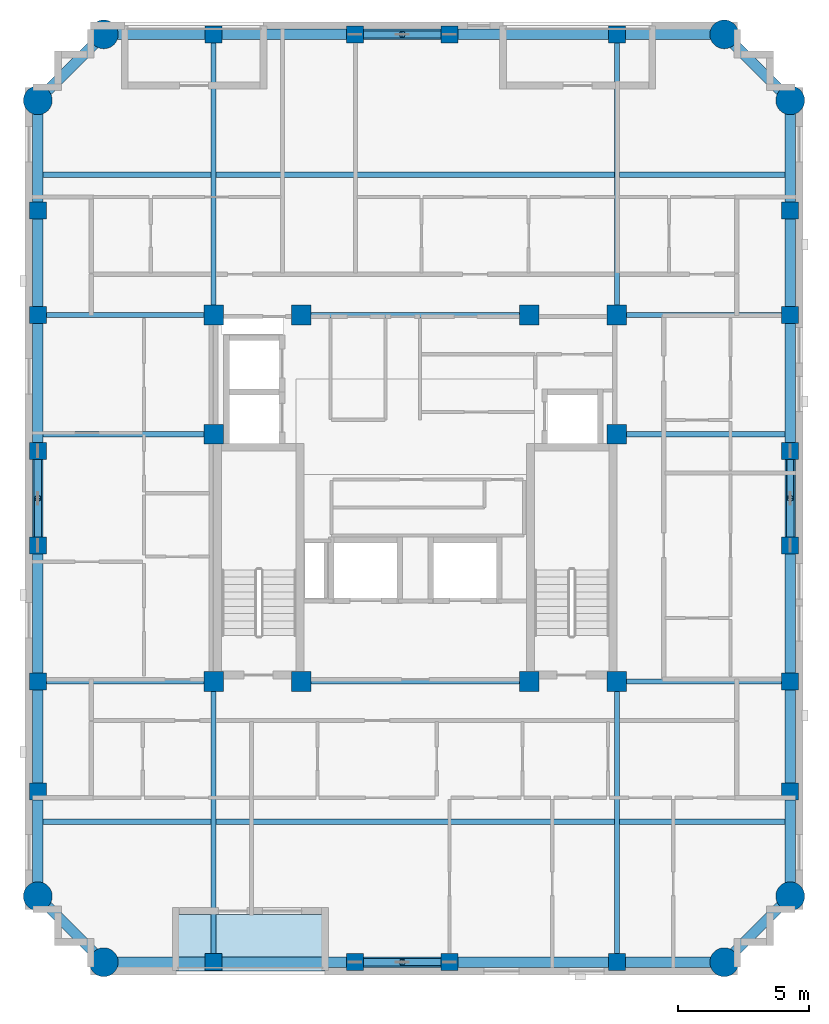
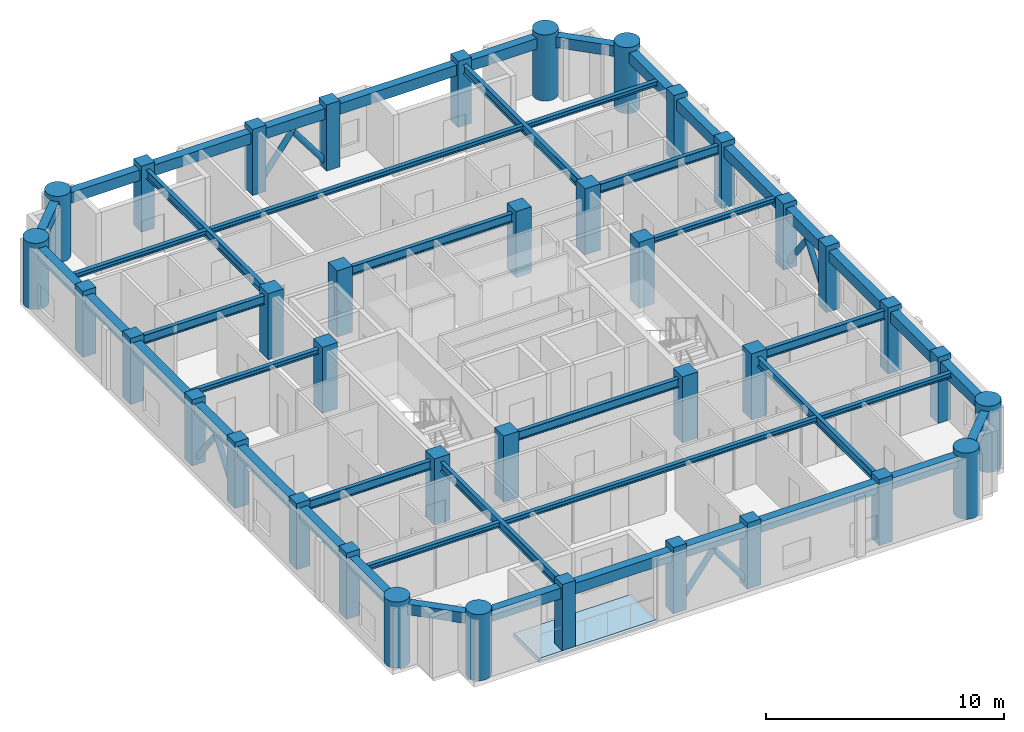
# One storey, part 1 of 10: 46 beams, 38 columns, 8 members, 1 slab.
"""IFC4 building model written with IfcOpenShell, lengths in metres."""

from ifc_helpers import new_model, si_unit, derived_unit, direction, frame, origin, origin_2d, place, context, subcontext, project, spatial, polyline, rectangle, circle, hollow_circle, i_section, outline, extrude, material, layer, layer_set, material_profile, profile_set, type_object, element, save


model = new_model("IFC4")

# Units and contexts
model_context = context("Model", 3, precision=1e-05, world=origin(), true_north=direction((0.0, 1.0)))
body_context = subcontext(model_context, "Body", "Model", "MODEL_VIEW")
ifc_project = project(units=[si_unit("LENGTHUNIT", "METRE"), si_unit("AREAUNIT", "SQUARE_METRE"), si_unit("VOLUMEUNIT", "CUBIC_METRE"), si_unit("PLANEANGLEUNIT", "RADIAN"), si_unit("MASSUNIT", "GRAM", prefix="KILO"), derived_unit("THERMALTRANSMITTANCEUNIT", [(si_unit("MASSUNIT", "GRAM", prefix="KILO"), 1), (si_unit("TIMEUNIT", "SECOND"), -3), (si_unit("THERMODYNAMICTEMPERATUREUNIT", "KELVIN"), -1)])], contexts=[model_context])

# Site, building, storey
site_placement = place(None, origin())
site = spatial("IfcSite", under=ifc_project, at=site_placement, CompositionType="ELEMENT")
building_placement = place(site_placement, origin())
building = spatial("IfcBuilding", under=site, at=building_placement, Name="Korrvale Station Residences", CompositionType="ELEMENT")
storey_placement = place(building_placement, frame((0.0, 0.0, 220.699951171875)))
storey = spatial("IfcBuildingStorey", under=building, at=storey_placement, Name="L64", CompositionType="ELEMENT", Elevation=220.699951171875)

# Columns
ifc_material_1 = material(Name="Concrete C50/60", Category="concrete")
ifc_material_profile_1 = material_profile(ifc_material_1, rectangle(XDim=0.64990234375, YDim=0.64990234375, at=origin_2d()), Name="RC650x650")
ifc_profile_set_1 = profile_set([ifc_material_profile_1], Name="Concrete C50/60")
column_type_1 = type_object("IfcColumnType", Name="COL-C-RC650x650-C5060", PredefinedType="COLUMN", material=ifc_profile_set_1)
for number, where, z_axis, x_axis, name in (
    (1, (17.800048828125, 4.280029296875, 0.0), (0.0, 0.0, 1.0), (1.0, 0.0, 0.0), "L64 Bundled-Tube South Column 02"),
    (2, (23.199951171875, 4.280029296875, 0.0), (0.0, 0.0, 1.0), (1.0, 0.0, 0.0), "L64 Bundled-Tube South Column 03"),
    (3, (26.800048828125, 4.280029296875, 0.0), (0.0, 0.0, 1.0), (1.0, 0.0, 0.0), "L64 Bundled-Tube South Column 04"),
    (4, (33.199951171875, 4.280029296875, 0.0), (0.0, 0.0, 1.0), (1.0, 0.0, 0.0), "L64 Bundled-Tube South Column 05"),
    (5, (17.800048828125, 39.719970703125, 0.0), (0.0, 0.0, 1.0), (1.0, 0.0, 0.0), "L64 Bundled-Tube North Column 08"),
    (6, (23.199951171875, 39.719970703125, 0.0), (0.0, 0.0, 1.0), (1.0, 0.0, 0.0), "L64 Bundled-Tube North Column 09"),
    (7, (26.800048828125, 39.719970703125, 0.0), (0.0, 0.0, 1.0), (1.0, 0.0, 0.0), "L64 Bundled-Tube North Column 10"),
    (8, (33.199951171875, 39.719970703125, 0.0), (0.0, 0.0, 1.0), (1.0, 0.0, 0.0), "L64 Bundled-Tube North Column 11"),
    (9, (11.080078125, 10.800048828125, 0.0), (0.0, 0.0, 1.0), (1.0, 0.0, 0.0), "L64 Bundled-Tube West Column 14"),
    (10, (11.080078125, 15.0, 0.0), (0.0, 0.0, 1.0), (1.0, 0.0, 0.0), "L64 Bundled-Tube West Column 15"),
    (11, (11.080078125, 20.199951171875, 0.0), (0.0, 0.0, 1.0), (1.0, 0.0, 0.0), "L64 Bundled-Tube West Column 16"),
    (12, (11.080078125, 23.800048828125, 0.0), (0.0, 0.0, 1.0), (1.0, 0.0, 0.0), "L64 Bundled-Tube West Column 17"),
    (13, (11.080078125, 29.0, 0.0), (0.0, 0.0, 1.0), (1.0, 0.0, 0.0), "L64 Bundled-Tube West Column 18"),
    (14, (11.080078125, 33.0, 0.0), (0.0, 0.0, 1.0), (1.0, 0.0, 0.0), "L64 Bundled-Tube West Column 19"),
    (15, (39.820068359375, 10.800048828125, 0.0), (0.0, 0.0, 1.0), (1.0, 0.0, 0.0), "L64 Bundled-Tube East Column 22"),
    (16, (39.820068359375, 15.0, 0.0), (0.0, 0.0, 1.0), (1.0, 0.0, 0.0), "L64 Bundled-Tube East Column 23"),
    (17, (39.820068359375, 20.199951171875, 0.0), (0.0, 0.0, 1.0), (1.0, 0.0, 0.0), "L64 Bundled-Tube East Column 24"),
    (18, (39.820068359375, 23.800048828125, 0.0), (0.0, 0.0, 1.0), (1.0, 0.0, 0.0), "L64 Bundled-Tube East Column 25"),
    (19, (39.820068359375, 29.0, 0.0), (0.0, 0.0, 1.0), (1.0, 0.0, 0.0), "L64 Bundled-Tube East Column 26"),
    (20, (39.820068359375, 33.0, 0.0), (0.0, 0.0, 1.0), (1.0, 0.0, 0.0), "L64 Bundled-Tube East Column 27"),
):
    element("IfcColumn", number, at=place(storey_placement, frame(where, z_axis=z_axis, x_axis=x_axis)), inside=storey, type_object=column_type_1, Name=name, PredefinedType="COLUMN", context=body_context, shape_type="SweptSolid", body=[
        extrude(rectangle(XDim=0.64990234375, YDim=0.64990234375, at=origin_2d()), origin(), (0.0, 0.0, 1.0), 3.400146484375),
    ])
ifc_material_profile_2 = material_profile(ifc_material_1, rectangle(XDim=0.75, YDim=0.75, at=origin_2d()), Name="RC750x750")
ifc_profile_set_2 = profile_set([ifc_material_profile_2], Name="Concrete C50/60")
column_type_2 = type_object("IfcColumnType", Name="COL-C-RC750x750-C5060", PredefinedType="COLUMN", material=ifc_profile_set_2)
for number, where, z_axis, x_axis, name in (
    (21, (17.800048828125, 15.0, 0.0), (0.0, 0.0, 1.0), (1.0, 0.0, 0.0), "L64 Core Column 01"),
    (22, (21.14990234375, 15.0, 0.0), (0.0, 0.0, 1.0), (1.0, 0.0, 0.0), "L64 Core Column 02"),
    (23, (29.85009765625, 15.0, 0.0), (0.0, 0.0, 1.0), (1.0, 0.0, 0.0), "L64 Core Column 03"),
    (24, (33.199951171875, 15.0, 0.0), (0.0, 0.0, 1.0), (1.0, 0.0, 0.0), "L64 Core Column 04"),
    (25, (17.800048828125, 29.0, 0.0), (0.0, 0.0, 1.0), (1.0, 0.0, 0.0), "L64 Core Column 05"),
    (26, (21.14990234375, 29.0, 0.0), (0.0, 0.0, 1.0), (1.0, 0.0, 0.0), "L64 Core Column 06"),
    (27, (29.85009765625, 29.0, 0.0), (0.0, 0.0, 1.0), (1.0, 0.0, 0.0), "L64 Core Column 07"),
    (28, (33.199951171875, 29.0, 0.0), (0.0, 0.0, 1.0), (1.0, 0.0, 0.0), "L64 Core Column 08"),
    (29, (17.800048828125, 24.449951171875, 0.0), (0.0, 0.0, 1.0), (1.0, 0.0, 0.0), "L64 Core Column 09"),
    (30, (33.199951171875, 24.449951171875, 0.0), (0.0, 0.0, 1.0), (1.0, 0.0, 0.0), "L64 Core Column 10"),
):
    element("IfcColumn", number, at=place(storey_placement, frame(where, z_axis=z_axis, x_axis=x_axis)), inside=storey, type_object=column_type_2, Name=name, PredefinedType="COLUMN", context=body_context, shape_type="SweptSolid", body=[
        extrude(rectangle(XDim=0.75, YDim=0.75, at=origin_2d()), origin(), (0.0, 0.0, 1.0), 3.400146484375),
    ])
ifc_material_profile_3 = material_profile(ifc_material_1, circle(Radius=0.550048828125, at=origin_2d()), Name="RCC1100")
ifc_profile_set_3 = profile_set([ifc_material_profile_3], Name="Concrete C50/60")
column_type_3 = type_object("IfcColumnType", Name="COL-C-RCC1100-C5060", PredefinedType="COLUMN", material=ifc_profile_set_3)
for number, where, z_axis, x_axis, name in (
    (31, (13.60009765625, 4.280029296875, 0.0), (0.0, 0.0, 1.0), (1.0, 0.0, 0.0), "L64 Bundled-Tube South Column 01"),
    (32, (37.300048828125, 4.280029296875, 0.0), (0.0, 0.0, 1.0), (1.0, 0.0, 0.0), "L64 Bundled-Tube South Column 06"),
    (33, (13.60009765625, 39.719970703125, 0.0), (0.0, 0.0, 1.0), (1.0, 0.0, 0.0), "L64 Bundled-Tube North Column 07"),
    (34, (37.300048828125, 39.719970703125, 0.0), (0.0, 0.0, 1.0), (1.0, 0.0, 0.0), "L64 Bundled-Tube North Column 12"),
    (35, (11.080078125, 6.800048828125, 0.0), (0.0, 0.0, 1.0), (1.0, 0.0, 0.0), "L64 Bundled-Tube West Column 13"),
    (36, (11.080078125, 37.199951171875, 0.0), (0.0, 0.0, 1.0), (1.0, 0.0, 0.0), "L64 Bundled-Tube West Column 20"),
    (37, (39.820068359375, 6.800048828125, 0.0), (0.0, 0.0, 1.0), (1.0, 0.0, 0.0), "L64 Bundled-Tube East Column 21"),
    (38, (39.820068359375, 37.199951171875, 0.0), (0.0, 0.0, 1.0), (1.0, 0.0, 0.0), "L64 Bundled-Tube East Column 28"),
):
    element("IfcColumn", number, at=place(storey_placement, frame(where, z_axis=z_axis, x_axis=x_axis)), inside=storey, type_object=column_type_3, Name=name, PredefinedType="COLUMN", context=body_context, shape_type="SweptSolid", body=[
        extrude(circle(Radius=0.550048828125, at=origin_2d()), origin(), (0.0, 0.0, 1.0), 3.400146484375),
    ])

# Beams
ifc_material_2 = material(Name="Steel S355", Category="steel")
ifc_material_profile_4 = material_profile(ifc_material_2, i_section(OverallWidth=0.18994140625, OverallDepth=0.45703125, WebThickness=0.009033203125, FlangeThickness=0.014404296875, FilletRadius=0.01611328125, at=origin_2d()), Name="W460x74")
ifc_profile_set_4 = profile_set([ifc_material_profile_4], Name="Steel S355")
beam_type_1 = type_object("IfcBeamType", Name="BM-BM-W460x74-S355", PredefinedType="BEAM", material=ifc_profile_set_4)
for number, where, z_axis, x_axis, name in (
    (39, (17.800048828125, 4.280029296875, 2.91162109375), (0.0, 1.0, 0.0), (-1.0, 0.0, 0.0), "L64 Bundled-Tube Web Girder 01"),
    (40, (33.199951171875, 4.280029296875, 2.91162109375), (0.0, 1.0, 0.0), (-1.0, 0.0, 0.0), "L64 Bundled-Tube Web Girder 02"),
    (41, (17.800048828125, 29.0, 2.91162109375), (0.0, 1.0, 0.0), (-1.0, 0.0, 0.0), "L64 Bundled-Tube Web Girder 03"),
    (42, (33.199951171875, 29.0, 2.91162109375), (0.0, 1.0, 0.0), (-1.0, 0.0, 0.0), "L64 Bundled-Tube Web Girder 04"),
):
    element("IfcBeam", number, at=place(storey_placement, frame(where, z_axis=z_axis, x_axis=x_axis)), inside=storey, type_object=beam_type_1, Name=name, PredefinedType="BEAM", context=body_context, shape_type="SweptSolid", body=[
        extrude(i_section(OverallWidth=0.18994140625, OverallDepth=0.45703125, WebThickness=0.009033203125, FlangeThickness=0.014404296875, FilletRadius=0.01611328125, at=origin_2d()), origin(), (0.0, 0.0, 1.0), 10.719970703125),
    ])
beam_1_placement = place(storey_placement, frame((11.080078125, 15.0, 2.91162109375), z_axis=(1.0, 0.0, 0.0), x_axis=(0.0, 1.0, 0.0)))
element("IfcBeam", 43, at=beam_1_placement, inside=storey, type_object=beam_type_1, Name="L64 Bundled-Tube Web Girder 05", PredefinedType="BEAM", context=body_context, shape_type="SweptSolid", body=[
    extrude(i_section(OverallWidth=0.18994140625, OverallDepth=0.45703125, WebThickness=0.009033203125, FlangeThickness=0.014404296875, FilletRadius=0.01611328125, at=origin_2d()), origin(), (0.0, 0.0, 1.0), 6.719970703125),
])
beam_2_placement = place(storey_placement, frame((33.199951171875, 15.0, 2.91162109375), z_axis=(1.0, 0.0, 0.0), x_axis=(0.0, 1.0, 0.0)))
element("IfcBeam", 44, at=beam_2_placement, inside=storey, type_object=beam_type_1, Name="L64 Bundled-Tube Web Girder 06", PredefinedType="BEAM", context=body_context, shape_type="SweptSolid", body=[
    extrude(i_section(OverallWidth=0.18994140625, OverallDepth=0.45703125, WebThickness=0.009033203125, FlangeThickness=0.014404296875, FilletRadius=0.01611328125, at=origin_2d()), origin(), (0.0, 0.0, 1.0), 6.6201171875),
])
beam_3_placement = place(storey_placement, frame((11.080078125, 29.0, 2.91162109375), z_axis=(1.0, 0.0, 0.0), x_axis=(0.0, 1.0, 0.0)))
element("IfcBeam", 45, at=beam_3_placement, inside=storey, type_object=beam_type_1, Name="L64 Bundled-Tube Web Girder 07", PredefinedType="BEAM", context=body_context, shape_type="SweptSolid", body=[
    extrude(i_section(OverallWidth=0.18994140625, OverallDepth=0.45703125, WebThickness=0.009033203125, FlangeThickness=0.014404296875, FilletRadius=0.01611328125, at=origin_2d()), origin(), (0.0, 0.0, 1.0), 6.719970703125),
])
beam_4_placement = place(storey_placement, frame((33.199951171875, 29.0, 2.91162109375), z_axis=(1.0, 0.0, 0.0), x_axis=(0.0, 1.0, 0.0)))
element("IfcBeam", 46, at=beam_4_placement, inside=storey, type_object=beam_type_1, Name="L64 Bundled-Tube Web Girder 08", PredefinedType="BEAM", context=body_context, shape_type="SweptSolid", body=[
    extrude(i_section(OverallWidth=0.18994140625, OverallDepth=0.45703125, WebThickness=0.009033203125, FlangeThickness=0.014404296875, FilletRadius=0.01611328125, at=origin_2d()), origin(), (0.0, 0.0, 1.0), 6.6201171875),
])
for number, where, z_axis, x_axis, name in (
    (47, (21.14990234375, 15.0, 2.91162109375), (1.0, 0.0, 0.0), (0.0, 1.0, 0.0), "L64 Bundled-Tube Web Girder 09"),
    (48, (21.14990234375, 29.0, 2.91162109375), (1.0, 0.0, 0.0), (0.0, 1.0, 0.0), "L64 Bundled-Tube Web Girder 10"),
):
    element("IfcBeam", number, at=place(storey_placement, frame(where, z_axis=z_axis, x_axis=x_axis)), inside=storey, type_object=beam_type_1, Name=name, PredefinedType="BEAM", context=body_context, shape_type="SweptSolid", body=[
        extrude(i_section(OverallWidth=0.18994140625, OverallDepth=0.45703125, WebThickness=0.009033203125, FlangeThickness=0.014404296875, FilletRadius=0.01611328125, at=origin_2d()), origin(), (0.0, 0.0, 1.0), 8.7001953125),
    ])
ifc_material_profile_5 = material_profile(ifc_material_2, i_section(OverallWidth=0.201904296875, OverallDepth=0.2470703125, WebThickness=0.00732421875, FlangeThickness=0.010986328125, FilletRadius=0.012939453125, at=origin_2d()), Name="W250x49")
ifc_profile_set_5 = profile_set([ifc_material_profile_5], Name="Steel S355")
beam_type_2 = type_object("IfcBeamType", Name="BM-JST-W250x49-S355", PredefinedType="JOIST", material=ifc_profile_set_5)
beam_5_placement = place(storey_placement, frame((11.280029296875, 9.639892578125, 3.0166015625), z_axis=(1.0, 0.0, 0.0), x_axis=(0.0, 1.0, 0.0)))
element("IfcBeam", 49, at=beam_5_placement, inside=storey, type_object=beam_type_2, Name="L64 Floor Framing Joist 01", PredefinedType="JOIST", context=body_context, shape_type="SweptSolid", body=[
    extrude(i_section(OverallWidth=0.201904296875, OverallDepth=0.2470703125, WebThickness=0.00732421875, FlangeThickness=0.010986328125, FilletRadius=0.012939453125, at=origin_2d()), origin(), (0.0, 0.0, 1.0), 6.425048828125),
])
beam_6_placement = place(storey_placement, frame((17.89501953125, 9.639892578125, 3.0166015625), z_axis=(1.0, 0.0, 0.0), x_axis=(0.0, 1.0, 0.0)))
element("IfcBeam", 50, at=beam_6_placement, inside=storey, type_object=beam_type_2, Name="L64 Floor Framing Joist 02", PredefinedType="JOIST", context=body_context, shape_type="SweptSolid", body=[
    extrude(i_section(OverallWidth=0.201904296875, OverallDepth=0.2470703125, WebThickness=0.00732421875, FlangeThickness=0.010986328125, FilletRadius=0.012939453125, at=origin_2d()), origin(), (0.0, 0.0, 1.0), 15.2099609375),
])
beam_7_placement = place(storey_placement, frame((33.294921875, 9.639892578125, 3.0166015625), z_axis=(1.0, 0.0, 0.0), x_axis=(0.0, 1.0, 0.0)))
element("IfcBeam", 51, at=beam_7_placement, inside=storey, type_object=beam_type_2, Name="L64 Floor Framing Joist 03", PredefinedType="JOIST", context=body_context, shape_type="SweptSolid", body=[
    extrude(i_section(OverallWidth=0.201904296875, OverallDepth=0.2470703125, WebThickness=0.00732421875, FlangeThickness=0.010986328125, FilletRadius=0.012939453125, at=origin_2d()), origin(), (0.0, 0.0, 1.0), 6.3251953125),
])
beam_8_placement = place(storey_placement, frame((11.280029296875, 34.360107421875, 3.0166015625), z_axis=(1.0, 0.0, 0.0), x_axis=(0.0, 1.0, 0.0)))
element("IfcBeam", 52, at=beam_8_placement, inside=storey, type_object=beam_type_2, Name="L64 Floor Framing Joist 04", PredefinedType="JOIST", context=body_context, shape_type="SweptSolid", body=[
    extrude(i_section(OverallWidth=0.201904296875, OverallDepth=0.2470703125, WebThickness=0.00732421875, FlangeThickness=0.010986328125, FilletRadius=0.012939453125, at=origin_2d()), origin(), (0.0, 0.0, 1.0), 6.425048828125),
])
beam_9_placement = place(storey_placement, frame((17.89501953125, 34.360107421875, 3.0166015625), z_axis=(1.0, 0.0, 0.0), x_axis=(0.0, 1.0, 0.0)))
element("IfcBeam", 53, at=beam_9_placement, inside=storey, type_object=beam_type_2, Name="L64 Floor Framing Joist 05", PredefinedType="JOIST", context=body_context, shape_type="SweptSolid", body=[
    extrude(i_section(OverallWidth=0.201904296875, OverallDepth=0.2470703125, WebThickness=0.00732421875, FlangeThickness=0.010986328125, FilletRadius=0.012939453125, at=origin_2d()), origin(), (0.0, 0.0, 1.0), 15.2099609375),
])
beam_10_placement = place(storey_placement, frame((33.294921875, 34.360107421875, 3.0166015625), z_axis=(1.0, 0.0, 0.0), x_axis=(0.0, 1.0, 0.0)))
element("IfcBeam", 54, at=beam_10_placement, inside=storey, type_object=beam_type_2, Name="L64 Floor Framing Joist 06", PredefinedType="JOIST", context=body_context, shape_type="SweptSolid", body=[
    extrude(i_section(OverallWidth=0.201904296875, OverallDepth=0.2470703125, WebThickness=0.00732421875, FlangeThickness=0.010986328125, FilletRadius=0.012939453125, at=origin_2d()), origin(), (0.0, 0.0, 1.0), 6.3251953125),
])
beam_11_placement = place(storey_placement, frame((33.199951171875, 24.449951171875, 3.0166015625), z_axis=(1.0, 0.0, 0.0), x_axis=(0.0, 1.0, 0.0)))
element("IfcBeam", 55, at=beam_11_placement, inside=storey, type_object=beam_type_2, Name="L64 Floor Framing Joist 07", PredefinedType="JOIST", context=body_context, shape_type="SweptSolid", body=[
    extrude(i_section(OverallWidth=0.201904296875, OverallDepth=0.2470703125, WebThickness=0.00732421875, FlangeThickness=0.010986328125, FilletRadius=0.012939453125, at=origin_2d()), origin(), (0.0, 0.0, 1.0), 6.420166015625),
])
beam_12_placement = place(storey_placement, frame((11.280029296875, 24.449951171875, 3.0166015625), z_axis=(1.0, 0.0, 0.0), x_axis=(0.0, 1.0, 0.0)))
element("IfcBeam", 56, at=beam_12_placement, inside=storey, type_object=beam_type_2, Name="L64 Floor Framing Joist 08", PredefinedType="JOIST", context=body_context, shape_type="SweptSolid", body=[
    extrude(i_section(OverallWidth=0.201904296875, OverallDepth=0.2470703125, WebThickness=0.00732421875, FlangeThickness=0.010986328125, FilletRadius=0.012939453125, at=origin_2d()), origin(), (0.0, 0.0, 1.0), 6.52001953125),
])
ifc_material_profile_6 = material_profile(ifc_material_1, rectangle(XDim=0.39990234375, YDim=0.550048828125, at=origin_2d()), Name="RCB400x550")
ifc_profile_set_6 = profile_set([ifc_material_profile_6], Name="Concrete C50/60")
beam_type_3 = type_object("IfcBeamType", Name="BM-SPB-RCB400x550-C5060", PredefinedType="SPANDREL", material=ifc_profile_set_6)
beam_13_placement = place(storey_placement, frame((13.60009765625, 4.280029296875, 2.864990234375), z_axis=(1.0, 0.0, 0.0), x_axis=(0.0, 1.0, 0.0)))
element("IfcBeam", 57, at=beam_13_placement, inside=storey, type_object=beam_type_3, Name="L64 South Tube Spandrel 01", PredefinedType="SPANDREL", context=body_context, shape_type="SweptSolid", body=[
    extrude(rectangle(XDim=0.39990234375, YDim=0.550048828125, at=origin_2d()), origin(), (0.0, 0.0, 1.0), 4.199951171875),
])
beam_14_placement = place(storey_placement, frame((17.800048828125, 4.280029296875, 2.864990234375), z_axis=(1.0, 0.0, 0.0), x_axis=(0.0, 1.0, 0.0)))
element("IfcBeam", 58, at=beam_14_placement, inside=storey, type_object=beam_type_3, Name="L64 South Tube Spandrel 02", PredefinedType="SPANDREL", context=body_context, shape_type="SweptSolid", body=[
    extrude(rectangle(XDim=0.39990234375, YDim=0.550048828125, at=origin_2d()), origin(), (0.0, 0.0, 1.0), 5.39990234375),
])
beam_15_placement = place(storey_placement, frame((23.199951171875, 4.280029296875, 2.864990234375), z_axis=(1.0, 0.0, 0.0), x_axis=(0.0, 1.0, 0.0)))
element("IfcBeam", 59, at=beam_15_placement, inside=storey, type_object=beam_type_3, Name="L64 South Tube Spandrel 03", PredefinedType="SPANDREL", context=body_context, shape_type="SweptSolid", body=[
    extrude(rectangle(XDim=0.39990234375, YDim=0.550048828125, at=origin_2d()), origin(), (0.0, 0.0, 1.0), 3.60009765625),
])
beam_16_placement = place(storey_placement, frame((26.800048828125, 4.280029296875, 2.864990234375), z_axis=(1.0, 0.0, 0.0), x_axis=(0.0, 1.0, 0.0)))
element("IfcBeam", 60, at=beam_16_placement, inside=storey, type_object=beam_type_3, Name="L64 South Tube Spandrel 04", PredefinedType="SPANDREL", context=body_context, shape_type="SweptSolid", body=[
    extrude(rectangle(XDim=0.39990234375, YDim=0.550048828125, at=origin_2d()), origin(), (0.0, 0.0, 1.0), 6.39990234375),
])
beam_17_placement = place(storey_placement, frame((33.199951171875, 4.280029296875, 2.864990234375), z_axis=(1.0, 0.0, 0.0), x_axis=(0.0, 1.0, 0.0)))
element("IfcBeam", 61, at=beam_17_placement, inside=storey, type_object=beam_type_3, Name="L64 South Tube Spandrel 05", PredefinedType="SPANDREL", context=body_context, shape_type="SweptSolid", body=[
    extrude(rectangle(XDim=0.39990234375, YDim=0.550048828125, at=origin_2d()), origin(), (0.0, 0.0, 1.0), 4.10009765625),
])
beam_18_placement = place(storey_placement, frame((13.60009765625, 39.719970703125, 2.864990234375), z_axis=(1.0, 0.0, 0.0), x_axis=(0.0, 1.0, 0.0)))
element("IfcBeam", 62, at=beam_18_placement, inside=storey, type_object=beam_type_3, Name="L64 North Tube Spandrel 06", PredefinedType="SPANDREL", context=body_context, shape_type="SweptSolid", body=[
    extrude(rectangle(XDim=0.39990234375, YDim=0.550048828125, at=origin_2d()), origin(), (0.0, 0.0, 1.0), 4.199951171875),
])
beam_19_placement = place(storey_placement, frame((17.800048828125, 39.719970703125, 2.864990234375), z_axis=(1.0, 0.0, 0.0), x_axis=(0.0, 1.0, 0.0)))
element("IfcBeam", 63, at=beam_19_placement, inside=storey, type_object=beam_type_3, Name="L64 North Tube Spandrel 07", PredefinedType="SPANDREL", context=body_context, shape_type="SweptSolid", body=[
    extrude(rectangle(XDim=0.39990234375, YDim=0.550048828125, at=origin_2d()), origin(), (0.0, 0.0, 1.0), 5.39990234375),
])
beam_20_placement = place(storey_placement, frame((23.199951171875, 39.719970703125, 2.864990234375), z_axis=(1.0, 0.0, 0.0), x_axis=(0.0, 1.0, 0.0)))
element("IfcBeam", 64, at=beam_20_placement, inside=storey, type_object=beam_type_3, Name="L64 North Tube Spandrel 08", PredefinedType="SPANDREL", context=body_context, shape_type="SweptSolid", body=[
    extrude(rectangle(XDim=0.39990234375, YDim=0.550048828125, at=origin_2d()), origin(), (0.0, 0.0, 1.0), 3.60009765625),
])
beam_21_placement = place(storey_placement, frame((26.800048828125, 39.719970703125, 2.864990234375), z_axis=(1.0, 0.0, 0.0), x_axis=(0.0, 1.0, 0.0)))
element("IfcBeam", 65, at=beam_21_placement, inside=storey, type_object=beam_type_3, Name="L64 North Tube Spandrel 09", PredefinedType="SPANDREL", context=body_context, shape_type="SweptSolid", body=[
    extrude(rectangle(XDim=0.39990234375, YDim=0.550048828125, at=origin_2d()), origin(), (0.0, 0.0, 1.0), 6.39990234375),
])
beam_22_placement = place(storey_placement, frame((33.199951171875, 39.719970703125, 2.864990234375), z_axis=(1.0, 0.0, 0.0), x_axis=(0.0, 1.0, 0.0)))
element("IfcBeam", 66, at=beam_22_placement, inside=storey, type_object=beam_type_3, Name="L64 North Tube Spandrel 10", PredefinedType="SPANDREL", context=body_context, shape_type="SweptSolid", body=[
    extrude(rectangle(XDim=0.39990234375, YDim=0.550048828125, at=origin_2d()), origin(), (0.0, 0.0, 1.0), 4.10009765625),
])
beam_23_placement = place(storey_placement, frame((11.080078125, 6.800048828125, 2.864990234375), z_axis=(0.0, 1.0, 0.0), x_axis=(-1.0, 0.0, 0.0)))
element("IfcBeam", 67, at=beam_23_placement, inside=storey, type_object=beam_type_3, Name="L64 West Tube Spandrel 11", PredefinedType="SPANDREL", context=body_context, shape_type="SweptSolid", body=[
    extrude(rectangle(XDim=0.39990234375, YDim=0.550048828125, at=origin_2d()), origin(), (0.0, 0.0, 1.0), 4.0),
])
beam_24_placement = place(storey_placement, frame((11.080078125, 10.800048828125, 2.864990234375), z_axis=(0.0, 1.0, 0.0), x_axis=(-1.0, 0.0, 0.0)))
element("IfcBeam", 68, at=beam_24_placement, inside=storey, type_object=beam_type_3, Name="L64 West Tube Spandrel 12", PredefinedType="SPANDREL", context=body_context, shape_type="SweptSolid", body=[
    extrude(rectangle(XDim=0.39990234375, YDim=0.550048828125, at=origin_2d()), origin(), (0.0, 0.0, 1.0), 4.199951171875),
])
beam_25_placement = place(storey_placement, frame((11.080078125, 15.0, 2.864990234375), z_axis=(0.0, 1.0, 0.0), x_axis=(-1.0, 0.0, 0.0)))
element("IfcBeam", 69, at=beam_25_placement, inside=storey, type_object=beam_type_3, Name="L64 West Tube Spandrel 13", PredefinedType="SPANDREL", context=body_context, shape_type="SweptSolid", body=[
    extrude(rectangle(XDim=0.39990234375, YDim=0.550048828125, at=origin_2d()), origin(), (0.0, 0.0, 1.0), 5.199951171875),
])
beam_26_placement = place(storey_placement, frame((11.080078125, 20.199951171875, 2.864990234375), z_axis=(0.0, 1.0, 0.0), x_axis=(-1.0, 0.0, 0.0)))
element("IfcBeam", 70, at=beam_26_placement, inside=storey, type_object=beam_type_3, Name="L64 West Tube Spandrel 14", PredefinedType="SPANDREL", context=body_context, shape_type="SweptSolid", body=[
    extrude(rectangle(XDim=0.39990234375, YDim=0.550048828125, at=origin_2d()), origin(), (0.0, 0.0, 1.0), 3.60009765625),
])
beam_27_placement = place(storey_placement, frame((11.080078125, 23.800048828125, 2.864990234375), z_axis=(0.0, 1.0, 0.0), x_axis=(-1.0, 0.0, 0.0)))
element("IfcBeam", 71, at=beam_27_placement, inside=storey, type_object=beam_type_3, Name="L64 West Tube Spandrel 15", PredefinedType="SPANDREL", context=body_context, shape_type="SweptSolid", body=[
    extrude(rectangle(XDim=0.39990234375, YDim=0.550048828125, at=origin_2d()), origin(), (0.0, 0.0, 1.0), 5.199951171875),
])
beam_28_placement = place(storey_placement, frame((11.080078125, 29.0, 2.864990234375), z_axis=(0.0, 1.0, 0.0), x_axis=(-1.0, 0.0, 0.0)))
element("IfcBeam", 72, at=beam_28_placement, inside=storey, type_object=beam_type_3, Name="L64 West Tube Spandrel 16", PredefinedType="SPANDREL", context=body_context, shape_type="SweptSolid", body=[
    extrude(rectangle(XDim=0.39990234375, YDim=0.550048828125, at=origin_2d()), origin(), (0.0, 0.0, 1.0), 4.0),
])
beam_29_placement = place(storey_placement, frame((11.080078125, 33.0, 2.864990234375), z_axis=(0.0, 1.0, 0.0), x_axis=(-1.0, 0.0, 0.0)))
element("IfcBeam", 73, at=beam_29_placement, inside=storey, type_object=beam_type_3, Name="L64 West Tube Spandrel 17", PredefinedType="SPANDREL", context=body_context, shape_type="SweptSolid", body=[
    extrude(rectangle(XDim=0.39990234375, YDim=0.550048828125, at=origin_2d()), origin(), (0.0, 0.0, 1.0), 4.199951171875),
])
beam_30_placement = place(storey_placement, frame((39.820068359375, 6.800048828125, 2.864990234375), z_axis=(0.0, 1.0, 0.0), x_axis=(-1.0, 0.0, 0.0)))
element("IfcBeam", 74, at=beam_30_placement, inside=storey, type_object=beam_type_3, Name="L64 East Tube Spandrel 18", PredefinedType="SPANDREL", context=body_context, shape_type="SweptSolid", body=[
    extrude(rectangle(XDim=0.39990234375, YDim=0.550048828125, at=origin_2d()), origin(), (0.0, 0.0, 1.0), 4.0),
])
beam_31_placement = place(storey_placement, frame((39.820068359375, 10.800048828125, 2.864990234375), z_axis=(0.0, 1.0, 0.0), x_axis=(-1.0, 0.0, 0.0)))
element("IfcBeam", 75, at=beam_31_placement, inside=storey, type_object=beam_type_3, Name="L64 East Tube Spandrel 19", PredefinedType="SPANDREL", context=body_context, shape_type="SweptSolid", body=[
    extrude(rectangle(XDim=0.39990234375, YDim=0.550048828125, at=origin_2d()), origin(), (0.0, 0.0, 1.0), 4.199951171875),
])
beam_32_placement = place(storey_placement, frame((39.820068359375, 15.0, 2.864990234375), z_axis=(0.0, 1.0, 0.0), x_axis=(-1.0, 0.0, 0.0)))
element("IfcBeam", 76, at=beam_32_placement, inside=storey, type_object=beam_type_3, Name="L64 East Tube Spandrel 20", PredefinedType="SPANDREL", context=body_context, shape_type="SweptSolid", body=[
    extrude(rectangle(XDim=0.39990234375, YDim=0.550048828125, at=origin_2d()), origin(), (0.0, 0.0, 1.0), 5.199951171875),
])
beam_33_placement = place(storey_placement, frame((39.820068359375, 20.199951171875, 2.864990234375), z_axis=(0.0, 1.0, 0.0), x_axis=(-1.0, 0.0, 0.0)))
element("IfcBeam", 77, at=beam_33_placement, inside=storey, type_object=beam_type_3, Name="L64 East Tube Spandrel 21", PredefinedType="SPANDREL", context=body_context, shape_type="SweptSolid", body=[
    extrude(rectangle(XDim=0.39990234375, YDim=0.550048828125, at=origin_2d()), origin(), (0.0, 0.0, 1.0), 3.60009765625),
])
beam_34_placement = place(storey_placement, frame((39.820068359375, 23.800048828125, 2.864990234375), z_axis=(0.0, 1.0, 0.0), x_axis=(-1.0, 0.0, 0.0)))
element("IfcBeam", 78, at=beam_34_placement, inside=storey, type_object=beam_type_3, Name="L64 East Tube Spandrel 22", PredefinedType="SPANDREL", context=body_context, shape_type="SweptSolid", body=[
    extrude(rectangle(XDim=0.39990234375, YDim=0.550048828125, at=origin_2d()), origin(), (0.0, 0.0, 1.0), 5.199951171875),
])
beam_35_placement = place(storey_placement, frame((39.820068359375, 29.0, 2.864990234375), z_axis=(0.0, 1.0, 0.0), x_axis=(-1.0, 0.0, 0.0)))
element("IfcBeam", 79, at=beam_35_placement, inside=storey, type_object=beam_type_3, Name="L64 East Tube Spandrel 23", PredefinedType="SPANDREL", context=body_context, shape_type="SweptSolid", body=[
    extrude(rectangle(XDim=0.39990234375, YDim=0.550048828125, at=origin_2d()), origin(), (0.0, 0.0, 1.0), 4.0),
])
beam_36_placement = place(storey_placement, frame((39.820068359375, 33.0, 2.864990234375), z_axis=(0.0, 1.0, 0.0), x_axis=(-1.0, 0.0, 0.0)))
element("IfcBeam", 80, at=beam_36_placement, inside=storey, type_object=beam_type_3, Name="L64 East Tube Spandrel 24", PredefinedType="SPANDREL", context=body_context, shape_type="SweptSolid", body=[
    extrude(rectangle(XDim=0.39990234375, YDim=0.550048828125, at=origin_2d()), origin(), (0.0, 0.0, 1.0), 4.199951171875),
])
for number, where, z_axis, x_axis, name in (
    (81, (13.60009765625, 4.280029296875, 2.864990234375), (-0.707106781187, 0.707106781187, 0.0), (-0.707106781187, -0.707106781187, 0.0), "L64 Serrated Corner Spandrel 25"),
    (82, (37.300048828125, 4.280029296875, 2.864990234375), (0.707106781187, 0.707106781187, 0.0), (-0.707106781187, 0.707106781187, 0.0), "L64 Serrated Corner Spandrel 26"),
    (83, (37.300048828125, 39.719970703125, 2.864990234375), (0.707106781187, -0.707106781187, 0.0), (0.707106781187, 0.707106781187, 0.0), "L64 Serrated Corner Spandrel 27"),
    (84, (13.60009765625, 39.719970703125, 2.864990234375), (-0.707106781187, -0.707106781187, 0.0), (0.707106781187, -0.707106781187, 0.0), "L64 Serrated Corner Spandrel 28"),
):
    element("IfcBeam", number, at=place(storey_placement, frame(where, z_axis=z_axis, x_axis=x_axis)), inside=storey, type_object=beam_type_3, Name=name, PredefinedType="SPANDREL", context=body_context, shape_type="SweptSolid", body=[
        extrude(rectangle(XDim=0.39990234375, YDim=0.550048828125, at=origin_2d()), origin(), (0.0, 0.0, 1.0), 3.56396484375),
    ])

# Members
ifc_material_profile_7 = material_profile(ifc_material_2, hollow_circle(Radius=0.136474609375, WallThickness=0.015869140625, at=origin_2d()), Name="HSS273x16")
ifc_profile_set_7 = profile_set([ifc_material_profile_7], Name="Steel S355")
member_type = type_object("IfcMemberType", Name="MBR-BR-HSS273x16", PredefinedType="BRACE", material=ifc_profile_set_7)
for number, where, z_axis, x_axis, name in (
    (85, (23.199951171875, 4.280029296875, 0.02001953125), (0.601591523035, 0.0, 0.798803880444), (0.0, 1.0, 0.0), "L64 S Perimeter Tube Wind Brace 1"),
    (86, (26.800048828125, 4.280029296875, 0.02001953125), (-0.601591523035, 0.0, 0.798803880444), (0.0, -1.0, 0.0), "L64 S Perimeter Tube Wind Brace 2"),
    (87, (23.199951171875, 39.719970703125, 0.02001953125), (0.601591523035, 0.0, 0.798803880444), (0.0, 1.0, 0.0), "L64 N Perimeter Tube Wind Brace 1"),
    (88, (26.800048828125, 39.719970703125, 0.02001953125), (-0.601591523035, 0.0, 0.798803880444), (0.0, -1.0, 0.0), "L64 N Perimeter Tube Wind Brace 2"),
    (89, (11.080078125, 20.199951171875, 0.02001953125), (0.0, 0.601591523035, 0.798803880444), (-1.0, 0.0, 0.0), "L64 W Perimeter Tube Wind Brace 1"),
    (90, (11.080078125, 23.800048828125, 0.02001953125), (0.0, -0.601591523035, 0.798803880444), (1.0, 0.0, 0.0), "L64 W Perimeter Tube Wind Brace 2"),
    (91, (39.820068359375, 20.199951171875, 0.02001953125), (0.0, 0.601591523035, 0.798803880444), (-1.0, 0.0, 0.0), "L64 E Perimeter Tube Wind Brace 1"),
    (92, (39.820068359375, 23.800048828125, 0.02001953125), (0.0, -0.601591523035, 0.798803880444), (1.0, 0.0, 0.0), "L64 E Perimeter Tube Wind Brace 2"),
):
    element("IfcMember", number, at=place(storey_placement, frame(where, z_axis=z_axis, x_axis=x_axis)), inside=storey, type_object=member_type, Name=name, PredefinedType="BRACE", context=body_context, shape_type="SweptSolid", body=[
        extrude(hollow_circle(Radius=0.136474609375, WallThickness=0.015869140625, at=origin_2d()), origin(), (0.0, 0.0, 1.0), 2.9921875),
    ])

# Slab
ifc_layer = layer(ifc_material_1, 0.219970703125, Name="Concrete C50/60")
ifc_layer_set = layer_set([ifc_layer], Name="Concrete C50/60")
slab_type = type_object("IfcSlabType", Name="SLB-BAL-220", PredefinedType="FLOOR", material=ifc_layer_set)
slab_placement = place(storey_placement, frame((0.0, 0.0, -0.219970703125)))
element("IfcSlab", 93, at=slab_placement, inside=storey, type_object=slab_type, Name="L64 Recessed Loggia Balcony Slab BAL-L64-S1", PredefinedType="FLOOR", context=body_context, shape_type="SweptSolid", body=[
    extrude(outline(polyline([(16.35009765625, 3.949951171875), (22.050048828125, 3.949951171875), (22.050048828125, 6.10009765625), (16.35009765625, 6.10009765625), (16.35009765625, 3.949951171875)])), origin(), (0.0, 0.0, 1.0), 0.219970703125),
])

save(model, "model.ifc")
